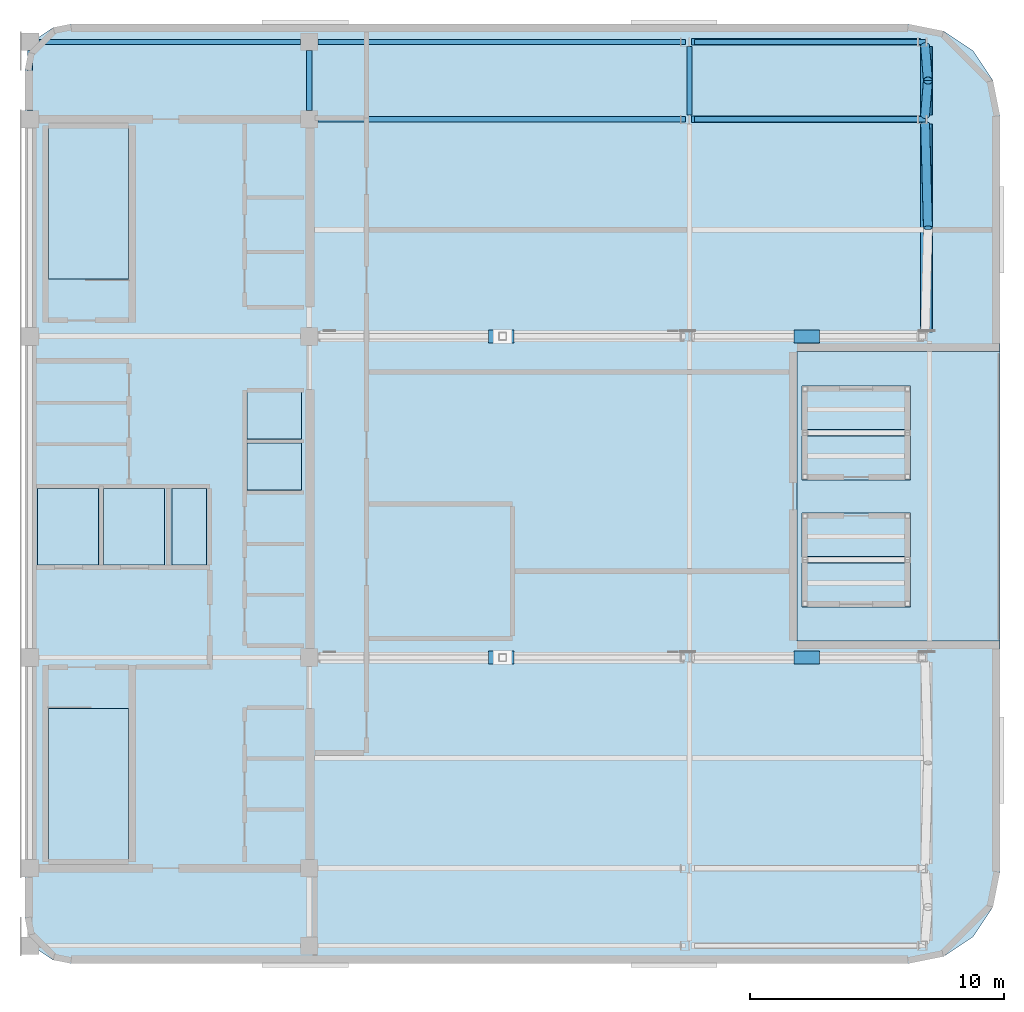
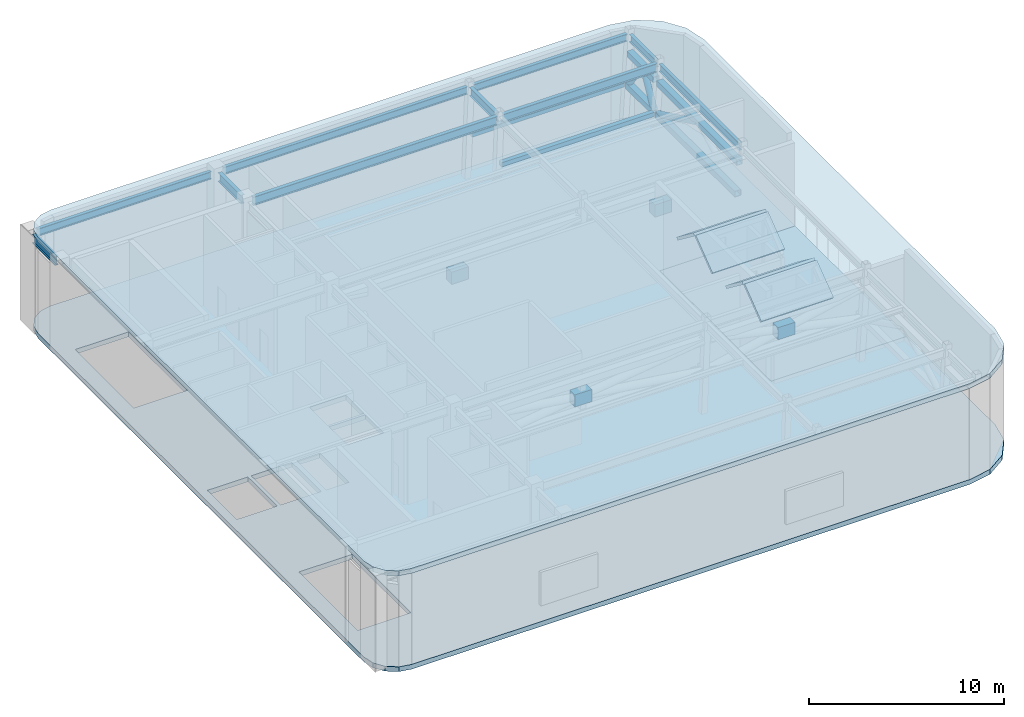
# One storey, part 6 of 12: 10 beams, 9 members, 7 slabs, 4 plates.
"""IFC4 building model written with IfcOpenShell, lengths in metres."""

from ifc_helpers import new_model, si_unit, direction, frame, origin, origin_2d, place, context, subcontext, project, spatial, polyline, rectangle, hollow_rectangle, hollow_circle, i_section, outline, extrude, material, layer, layer_set, material_profile, profile_set, type_object, element, save


model = new_model("IFC4")

# Units and contexts
model_context = context("Model", 3, precision=1e-05, world=origin(), true_north=direction((0.0, 1.0)))
body_context = subcontext(model_context, "Body", "Model", "MODEL_VIEW")
ifc_project = project(units=[si_unit("LENGTHUNIT", "METRE"), si_unit("AREAUNIT", "SQUARE_METRE"), si_unit("VOLUMEUNIT", "CUBIC_METRE"), si_unit("PLANEANGLEUNIT", "RADIAN"), si_unit("MASSUNIT", "GRAM", prefix="KILO")], contexts=[model_context])

# Site, building, storey
site_placement = place(None, origin())
site = spatial("IfcSite", under=ifc_project, at=site_placement, CompositionType="ELEMENT")
building_placement = place(site_placement, origin())
building = spatial("IfcBuilding", under=site, at=building_placement, Name="Ochreholt Gables", CompositionType="ELEMENT")
storey_placement = place(building_placement, frame((0.0, 0.0, 287.0)))
storey = spatial("IfcBuildingStorey", under=building, at=storey_placement, Name="L75", CompositionType="ELEMENT", Elevation=287.0)

# Beams
ifc_material_1 = material(Name="Steel CSA G40.21 350W", Category="steel")
ifc_material_profile_1 = material_profile(ifc_material_1, i_section(OverallWidth=0.2109375, OverallDepth=0.5390625, WebThickness=0.01171875, FlangeThickness=0.018798828125, at=origin_2d()), Name="W530X109")
ifc_profile_set_1 = profile_set([ifc_material_profile_1], Name="Steel CSA G40.21 350W")
beam_type_1 = type_object("IfcBeamType", Name="BM-G-W530A", PredefinedType="BEAM", material=ifc_profile_set_1)
beam_1_placement = place(storey_placement, frame((35.549560546875, 38.75, 5.430419921875), z_axis=(1.0, 0.0, 0.0), x_axis=(0.0, 1.0, 0.0)))
element("IfcBeam", 1, at=beam_1_placement, inside=storey, type_object=beam_type_1, Name="L75 Beam TBG-L75-C2EM-Y5", PredefinedType="BEAM", context=body_context, shape_type="SweptSolid", body=[
    extrude(i_section(OverallWidth=0.2109375, OverallDepth=0.5390625, WebThickness=0.01171875, FlangeThickness=0.018798828125, at=origin_2d()), origin(), (0.0, 0.0, 1.0), 14.4638671875),
])
beam_2_placement = place(storey_placement, frame((50.36865234375, 38.75, 5.430419921875), z_axis=(1.0, 0.0, 0.0), x_axis=(0.0, 1.0, 0.0)))
element("IfcBeam", 2, at=beam_2_placement, inside=storey, type_object=beam_type_1, Name="L75 Beam TBG-L75-EMEE-Y5", PredefinedType="BEAM", context=body_context, shape_type="SweptSolid", body=[
    extrude(i_section(OverallWidth=0.2109375, OverallDepth=0.5390625, WebThickness=0.01171875, FlangeThickness=0.018798828125, at=origin_2d()), origin(), (0.0, 0.0, 1.0), 9.1044921875),
])
for number, where, z_axis, x_axis, name in (
    (3, (24.199951171875, 39.099609375, 5.430419921875), (0.0, 1.0, 0.0), (-1.0, 0.0, 0.0), "L75 Beam TBN-L75-C1-Y5Y6"),
    (4, (35.199951171875, 39.099609375, 5.430419921875), (0.0, 1.0, 0.0), (-1.0, 0.0, 0.0), "L75 Beam TBN-L75-C2-Y5Y6"),
):
    element("IfcBeam", number, at=place(storey_placement, frame(where, z_axis=z_axis, x_axis=x_axis)), inside=storey, type_object=beam_type_1, Name=name, PredefinedType="BEAM", context=body_context, shape_type="SweptSolid", body=[
        extrude(i_section(OverallWidth=0.2109375, OverallDepth=0.5390625, WebThickness=0.01171875, FlangeThickness=0.018798828125, at=origin_2d()), origin(), (0.0, 0.0, 1.0), 2.350830078125),
    ])
beam_3_placement = place(storey_placement, frame((50.171875, 38.927490234375, 5.430419921875), z_axis=(0.0, 1.0, 0.0), x_axis=(-1.0, 0.0, 0.0)))
element("IfcBeam", 5, at=beam_3_placement, inside=storey, type_object=beam_type_1, Name="L75 Beam TBN-L75-EM-Y5Y6", PredefinedType="BEAM", context=body_context, shape_type="SweptSolid", body=[
    extrude(i_section(OverallWidth=0.2109375, OverallDepth=0.5390625, WebThickness=0.01171875, FlangeThickness=0.018798828125, at=origin_2d()), origin(), (0.0, 0.0, 1.0), 2.69482421875),
])
ifc_material_profile_2 = material_profile(ifc_material_1, i_section(OverallWidth=0.19189453125, OverallDepth=0.462890625, WebThickness=0.010498046875, FlangeThickness=0.017578125, at=origin_2d()), Name="W460X89")
ifc_profile_set_2 = profile_set([ifc_material_profile_2], Name="Steel CSA G40.21 350W")
beam_type_2 = type_object("IfcBeamType", Name="BM-SP-W460A", PredefinedType="SPANDREL", material=ifc_profile_set_2)
beam_4_placement = place(storey_placement, frame((24.549560546875, 41.800048828125, 5.468505859375), z_axis=(1.0, 0.0, 0.0), x_axis=(0.0, 1.0, 0.0)))
element("IfcBeam", 6, at=beam_4_placement, inside=storey, type_object=beam_type_2, Name="L75 Beam TBG-L75-C1C2-Y6", PredefinedType="SPANDREL", context=body_context, shape_type="SweptSolid", body=[
    extrude(i_section(OverallWidth=0.19189453125, OverallDepth=0.462890625, WebThickness=0.010498046875, FlangeThickness=0.017578125, at=origin_2d()), origin(), (0.0, 0.0, 1.0), 10.30078125),
])
beam_5_placement = place(storey_placement, frame((35.549560546875, 41.800048828125, 5.468505859375), z_axis=(1.0, 0.0, 0.0), x_axis=(0.0, 1.0, 0.0)))
element("IfcBeam", 7, at=beam_5_placement, inside=storey, type_object=beam_type_2, Name="L75 Beam TBG-L75-C2EM-Y6", PredefinedType="SPANDREL", context=body_context, shape_type="SweptSolid", body=[
    extrude(i_section(OverallWidth=0.19189453125, OverallDepth=0.462890625, WebThickness=0.010498046875, FlangeThickness=0.017578125, at=origin_2d()), origin(), (0.0, 0.0, 1.0), 14.4638671875),
])
beam_6_placement = place(storey_placement, frame((50.36865234375, 41.800048828125, 5.468505859375), z_axis=(1.0, 0.0, 0.0), x_axis=(0.0, 1.0, 0.0)))
element("IfcBeam", 8, at=beam_6_placement, inside=storey, type_object=beam_type_2, Name="L75 Beam TBG-L75-EMEE-Y6", PredefinedType="SPANDREL", context=body_context, shape_type="SweptSolid", body=[
    extrude(i_section(OverallWidth=0.19189453125, OverallDepth=0.462890625, WebThickness=0.010498046875, FlangeThickness=0.017578125, at=origin_2d()), origin(), (0.0, 0.0, 1.0), 9.1044921875),
])
beam_7_placement = place(storey_placement, frame((59.618896484375, 30.377685546875, 5.468505859375), z_axis=(0.0, 1.0, 0.0), x_axis=(-1.0, 0.0, 0.0)))
element("IfcBeam", 9, at=beam_7_placement, inside=storey, type_object=beam_type_2, Name="L75 Beam TBN-L75-EE-Y4Y5", PredefinedType="SPANDREL", context=body_context, shape_type="SweptSolid", body=[
    extrude(i_section(OverallWidth=0.19189453125, OverallDepth=0.462890625, WebThickness=0.010498046875, FlangeThickness=0.017578125, at=origin_2d()), origin(), (0.0, 0.0, 1.0), 8.19482421875),
])
beam_8_placement = place(storey_placement, frame((59.618896484375, 38.927490234375, 5.468505859375), z_axis=(0.0, 1.0, 0.0), x_axis=(-1.0, 0.0, 0.0)))
element("IfcBeam", 10, at=beam_8_placement, inside=storey, type_object=beam_type_2, Name="L75 Beam TBN-L75-EE-Y5Y6", PredefinedType="SPANDREL", context=body_context, shape_type="SweptSolid", body=[
    extrude(i_section(OverallWidth=0.19189453125, OverallDepth=0.462890625, WebThickness=0.010498046875, FlangeThickness=0.017578125, at=origin_2d()), origin(), (0.0, 0.0, 1.0), 2.69482421875),
])

# Members
ifc_material_profile_3 = material_profile(ifc_material_1, hollow_circle(Radius=0.177978515625, WallThickness=0.0126953125, at=origin_2d()), Name="CHS356X13")
ifc_profile_set_3 = profile_set([ifc_material_profile_3], Name="Steel CSA G40.21 350W")
member_type_1 = type_object("IfcMemberType", Name="MEM-BL-BR2", PredefinedType="BRACE", material=ifc_profile_set_3)
member_placement = place(storey_placement, frame((59.45361328125, 38.572509765625, 2.60009765625), z_axis=(0.024595901419, -0.905247836662, 0.42417142272), x_axis=(0.999631090257, 0.027160327543, 0.0)))
element("IfcMember", 11, at=member_placement, inside=storey, type_object=member_type_1, Name="L75 Belt Truss Diagonal 3B", PredefinedType="BRACE", context=body_context, shape_type="SweptSolid", body=[
    extrude(hollow_circle(Radius=0.177978515625, WallThickness=0.0126953125, at=origin_2d()), origin(), (0.0, 0.0, 1.0), 4.5263671875),
])
for number, where, z_axis, x_axis, name in (
    (12, (59.45361328125, 38.927490234375, 2.60009765625), (0.047410112741, 0.573807921536, 0.8176165057), (-0.99660404255, 0.082343077261, 0.0), "L75 Belt Truss Diagonal 4A"),
    (13, (59.45361328125, 41.622314453125, 2.60009765625), (0.047410112741, -0.573807921536, 0.8176165057), (0.99660404255, 0.082343077261, 0.0), "L75 Belt Truss Diagonal 4B"),
):
    element("IfcMember", number, at=place(storey_placement, frame(where, z_axis=z_axis, x_axis=x_axis)), inside=storey, type_object=member_type_1, Name=name, PredefinedType="BRACE", context=body_context, shape_type="SweptSolid", body=[
        extrude(hollow_circle(Radius=0.177978515625, WallThickness=0.0126953125, at=origin_2d()), origin(), (0.0, 0.0, 1.0), 2.34814453125),
    ])
ifc_material_profile_4 = material_profile(ifc_material_1, hollow_rectangle(XDim=0.35595703125, YDim=0.35595703125, WallThickness=0.01611328125, at=origin_2d()), Name="HSS356X356X16")
ifc_profile_set_4 = profile_set([ifc_material_profile_4], Name="Steel CSA G40.21 350W")
member_type_2 = type_object("IfcMemberType", Name="MEM-BL-CH2", PredefinedType="CHORD", material=ifc_profile_set_4)
for number, where, z_axis, x_axis, name in (
    (14, (59.45361328125, 30.377685546875, 2.60009765625), (0.0, 1.0, 0.0), (-1.0, 0.0, 0.0), "L75 Belt Truss Bottom Chord 3"),
    (15, (59.56494140625, 30.377685546875, 4.52001953125), (0.0, 1.0, 0.0), (-1.0, 0.0, 0.0), "L75 Belt Truss Top Chord 3"),
):
    element("IfcMember", number, at=place(storey_placement, frame(where, z_axis=z_axis, x_axis=x_axis)), inside=storey, type_object=member_type_2, Name=name, PredefinedType="CHORD", context=body_context, shape_type="SweptSolid", body=[
        extrude(hollow_rectangle(XDim=0.35595703125, YDim=0.35595703125, WallThickness=0.01611328125, at=origin_2d()), origin(), (0.0, 0.0, 1.0), 8.19482421875),
    ])
for number, where, z_axis, x_axis, name in (
    (16, (59.45361328125, 38.927490234375, 2.60009765625), (0.0, 1.0, 0.0), (-1.0, 0.0, 0.0), "L75 Belt Truss Bottom Chord 4"),
    (17, (59.56494140625, 38.927490234375, 4.52001953125), (0.0, 1.0, 0.0), (-1.0, 0.0, 0.0), "L75 Belt Truss Top Chord 4"),
):
    element("IfcMember", number, at=place(storey_placement, frame(where, z_axis=z_axis, x_axis=x_axis)), inside=storey, type_object=member_type_2, Name=name, PredefinedType="CHORD", context=body_context, shape_type="SweptSolid", body=[
        extrude(hollow_rectangle(XDim=0.35595703125, YDim=0.35595703125, WallThickness=0.01611328125, at=origin_2d()), origin(), (0.0, 0.0, 1.0), 2.69482421875),
    ])
ifc_material_profile_5 = material_profile(ifc_material_1, hollow_rectangle(XDim=0.25390625, YDim=0.25390625, WallThickness=0.0126953125, at=origin_2d()), Name="HSS254X254X13")
ifc_profile_set_5 = profile_set([ifc_material_profile_5], Name="Steel CSA G40.21 350W")
member_type_3 = type_object("IfcMemberType", Name="MEM-TB-ST1", PredefinedType="STRUT", material=ifc_profile_set_5)
for number, where, z_axis, x_axis, name in (
    (18, (50.24951171875, 38.75, 2.60009765625), (1.0, 0.0, 0.0), (0.0, 1.0, 0.0), "L75 Belt Lateral Tie Strut 3"),
    (19, (50.24951171875, 41.800048828125, 2.60009765625), (1.0, 0.0, 0.0), (0.0, 1.0, 0.0), "L75 Belt Lateral Tie Strut 4"),
):
    element("IfcMember", number, at=place(storey_placement, frame(where, z_axis=z_axis, x_axis=x_axis)), inside=storey, type_object=member_type_3, Name=name, PredefinedType="STRUT", context=body_context, shape_type="SweptSolid", body=[
        extrude(hollow_rectangle(XDim=0.25390625, YDim=0.25390625, WallThickness=0.0126953125, at=origin_2d()), origin(), (0.0, 0.0, 1.0), 9.0263671875),
    ])

# Plates
ifc_layer_1 = layer(ifc_material_1, 0.0380859375, Name="Steel CSA G40.21 350W")
ifc_layer_set_1 = layer_set([ifc_layer_1], Name="Steel CSA G40.21 350W")
plate_type = type_object("IfcPlateType", Name="PLT-GUSSET-38", PredefinedType="USERDEFINED", material=ifc_layer_set_1)
for number, where, z_axis, x_axis, name in (
    (20, (42.763916015625, 17.550048828125, 3.177734375), (0.0, 0.0, 1.0), (1.0, 0.0, 0.0), "L75 Outrigger X-Brace Crossing Node Gusset S1"),
    (21, (54.79052734375, 17.550048828125, 3.17431640625), (0.0, 0.0, 1.0), (1.0, 0.0, 0.0), "L75 Outrigger X-Brace Crossing Node Gusset S2"),
    (22, (42.763916015625, 30.199951171875, 3.177734375), (0.0, 0.0, 1.0), (1.0, 0.0, 0.0), "L75 Outrigger X-Brace Crossing Node Gusset N1"),
    (23, (54.79052734375, 30.199951171875, 3.17431640625), (0.0, 0.0, 1.0), (1.0, 0.0, 0.0), "L75 Outrigger X-Brace Crossing Node Gusset N2"),
):
    element("IfcPlate", number, at=place(storey_placement, frame(where, z_axis=z_axis, x_axis=x_axis)), inside=storey, type_object=plate_type, Name=name, ObjectType="GUSSET PLATE", PredefinedType="USERDEFINED", context=body_context, shape_type="SweptSolid", body=[
        extrude(rectangle(XDim=1.0, YDim=0.52001953125, at=origin_2d()), origin(), (0.0, 0.0, 1.0), 0.760009765625),
    ])

# Slabs
ifc_material_2 = material(Name="Precast concrete 40 MPa", Category="concrete")
ifc_layer_2 = layer(ifc_material_2, 0.179931640625, Name="Precast concrete 40 MPa")
ifc_layer_set_2 = layer_set([ifc_layer_2], Name="Precast concrete 40 MPa")
slab_type_1 = type_object("IfcSlabType", Name="SLAB-GAB-180", PredefinedType="ROOF", material=ifc_layer_set_2)
for number, where, z_axis, x_axis, name in (
    (24, (54.60009765625, 19.550048828125, 2.85009765625), (0.0, -0.603440732168, 0.797407852207), (1.0, 0.0, 0.0), "L75 Gable South Roof Slope GB-75C1"),
    (25, (54.60009765625, 21.523681640625, 4.156494140625), (0.0, 0.603440732168, 0.797407852207), (1.0, 0.0, 0.0), "L75 Gable North Roof Slope GB-75C1"),
    (26, (54.60009765625, 24.550048828125, 2.85009765625), (0.0, -0.603440732168, 0.797407852207), (1.0, 0.0, 0.0), "L75 Gable South Roof Slope GB-75C2"),
    (27, (54.60009765625, 26.523681640625, 4.156494140625), (0.0, 0.603440732168, 0.797407852207), (1.0, 0.0, 0.0), "L75 Gable North Roof Slope GB-75C2"),
):
    element("IfcSlab", number, at=place(storey_placement, frame(where, z_axis=z_axis, x_axis=x_axis)), inside=storey, type_object=slab_type_1, Name=name, PredefinedType="ROOF", context=body_context, shape_type="SweptSolid", body=[
        extrude(outline(polyline([(0.0, 0.0), (4.27978515625, 0.0), (4.27978515625, 2.1649126662067806), (0.0, 2.1649126662067806), (0.0, 0.0)])), origin(), (0.0, 0.0, -1.0), 0.179931640625),
    ])
ifc_material_3 = material(Name="Concrete 50 MPa", Category="concrete")
ifc_layer_3 = layer(ifc_material_3, 0.300048828125, Name="Concrete 50 MPa")
ifc_layer_set_3 = layer_set([ifc_layer_3], Name="Concrete 50 MPa")
slab_type_2 = type_object("IfcSlabType", Name="SLAB-ROOF-300", PredefinedType="ROOF", material=ifc_layer_set_3)
slab_1_placement = place(storey_placement, frame((0.0, 0.0, 5.699951171875)))
element("IfcSlab", 28, at=slab_1_placement, inside=storey, type_object=slab_type_2, Name="L75 Structural Penthouse Roof Deck Slab", PredefinedType="ROOF", context=body_context, shape_type="SweptSolid", body=[
    extrude(outline(polyline([(24.0, 7.300048828125), (24.136962890625, 6.611083984375), (24.527099609375, 6.027099609375), (25.111083984375, 5.636962890625), (25.800048828125, 5.5), (58.800048828125, 5.5), (60.177734375, 5.77392578125), (61.345703125, 6.554443359375), (62.1259765625, 7.722412109375), (62.39990234375, 9.10009765625), (62.39990234375, 38.89990234375), (62.1259765625, 40.277587890625), (61.345703125, 41.445556640625), (60.177734375, 42.22607421875), (58.800048828125, 42.5), (25.800048828125, 42.5), (25.111083984375, 42.363037109375), (24.527099609375, 41.972900390625), (24.136962890625, 41.388916015625), (24.0, 40.699951171875), (24.0, 7.300048828125)])), origin(), (0.0, 0.0, 1.0), 0.303955078125),
])
ifc_material_4 = material(Name="Concrete 40 MPa", Category="concrete")
ifc_layer_4 = layer(ifc_material_4, 0.260009765625, Name="Concrete 40 MPa")
ifc_layer_set_4 = layer_set([ifc_layer_4], Name="Concrete 40 MPa")
slab_type_3 = type_object("IfcSlabType", Name="SLAB-TER-260", PredefinedType="FLOOR", material=ifc_layer_set_4)
slab_2_placement = place(storey_placement, frame((0.0, 0.0, -0.260009765625)))
element("IfcSlab", 29, at=slab_2_placement, inside=storey, type_object=slab_type_3, Name="L75 Outdoor Terrace Slab TR-L75-CRN", PredefinedType="FLOOR", context=body_context, shape_type="SweptSolid", body=[
    extrude(outline(polyline([(54.400390625, 18.200439453125), (62.39990234375, 18.200439453125), (62.39990234375, 29.599609375), (54.400390625, 29.599609375), (54.400390625, 18.200439453125)])), origin(), (0.0, 0.0, 1.0), 0.260009765625),
])
ifc_layer_5 = layer(ifc_material_3, 0.300048828125, Name="Concrete 50 MPa")
ifc_layer_set_5 = layer_set([ifc_layer_5], Name="Concrete 50 MPa")
slab_type_4 = type_object("IfcSlabType", Name="SLAB-TRN-300", PredefinedType="FLOOR", material=ifc_layer_set_5)
slab_3_placement = place(storey_placement, frame((0.0, 0.0, -0.300048828125)))
element("IfcSlab", 30, at=slab_3_placement, inside=storey, type_object=slab_type_4, Name="L75 Structural Floor Slab", PredefinedType="FLOOR", context=body_context, shape_type="SweptSolid", body=[
    extrude(outline(polyline([(62.39990234375, 18.199951171875), (54.39990234375, 18.199951171875), (54.39990234375, 29.60009765625), (62.39990234375, 29.60009765625), (62.39990234375, 38.89990234375), (62.1259765625, 40.277587890625), (61.345703125, 41.445556640625), (60.177734375, 42.22607421875), (58.800048828125, 42.5), (25.800048828125, 42.5), (25.111083984375, 42.363037109375), (24.527099609375, 41.972900390625), (24.136962890625, 41.388916015625), (24.0, 40.699951171875), (24.0, 7.300048828125), (24.136962890625, 6.611083984375), (24.527099609375, 6.027099609375), (25.111083984375, 5.636962890625), (25.800048828125, 5.5), (58.800048828125, 5.5), (60.177734375, 5.77392578125), (61.345703125, 6.554443359375), (62.1259765625, 7.722412109375), (62.39990234375, 9.10009765625), (62.39990234375, 18.199951171875)]), holes=[polyline([(24.919921875, 15.539306640625), (24.919921875, 9.52001953125), (28.080078125, 9.52001953125), (28.080078125, 15.539306640625), (24.919921875, 15.539306640625)]), polyline([(28.080078125, 32.460693359375), (28.080078125, 38.47998046875), (24.919921875, 38.47998046875), (24.919921875, 32.460693359375), (28.080078125, 32.460693359375)]), polyline([(24.5, 21.199951171875), (26.89990234375, 21.199951171875), (26.89990234375, 24.199951171875), (24.5, 24.199951171875), (24.5, 21.199951171875)]), polyline([(27.10009765625, 21.199951171875), (29.5, 21.199951171875), (29.5, 24.199951171875), (27.10009765625, 24.199951171875), (27.10009765625, 21.199951171875)]), polyline([(32.75, 24.14990234375), (34.89990234375, 24.14990234375), (34.89990234375, 26.0), (32.75, 26.0), (32.75, 24.14990234375)]), polyline([(32.75, 26.14990234375), (34.89990234375, 26.14990234375), (34.89990234375, 28.0), (32.75, 28.0), (32.75, 26.14990234375)]), polyline([(29.800048828125, 21.199951171875), (31.14990234375, 21.199951171875), (31.14990234375, 24.199951171875), (29.800048828125, 24.199951171875), (29.800048828125, 21.199951171875)])]), origin(), (0.0, 0.0, 1.0), 0.300048828125),
])

save(model, "model.ifc")
